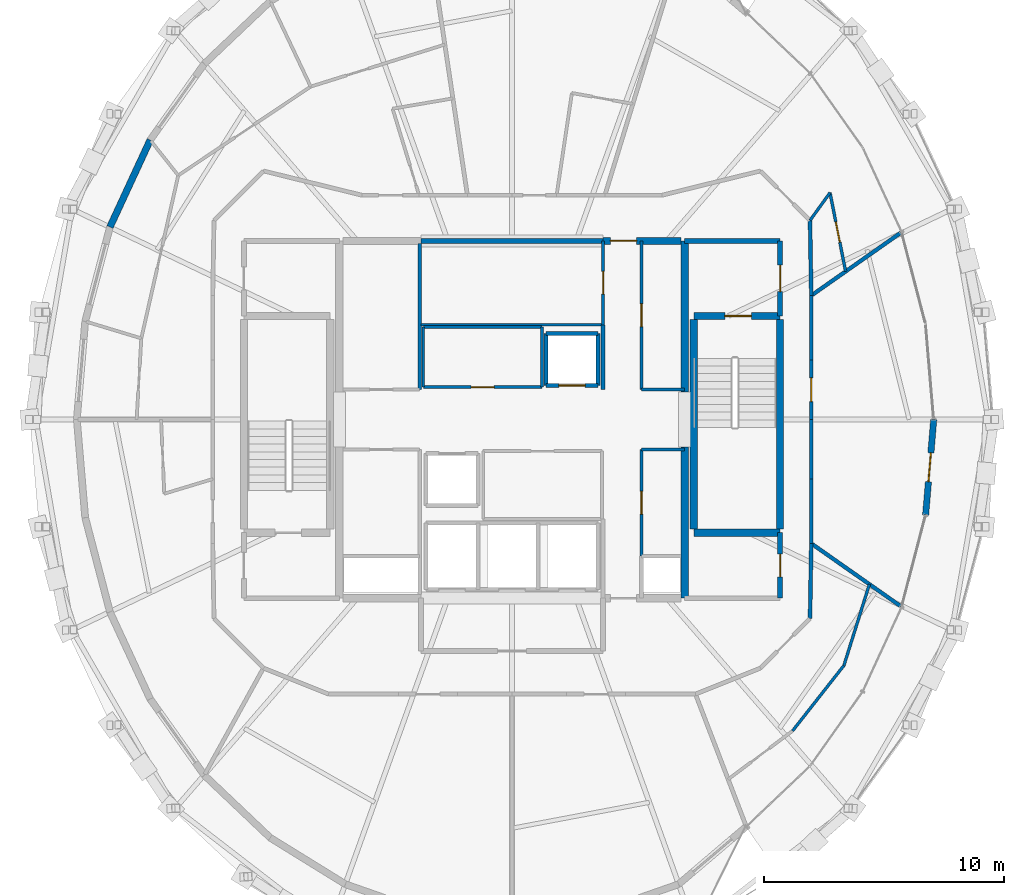
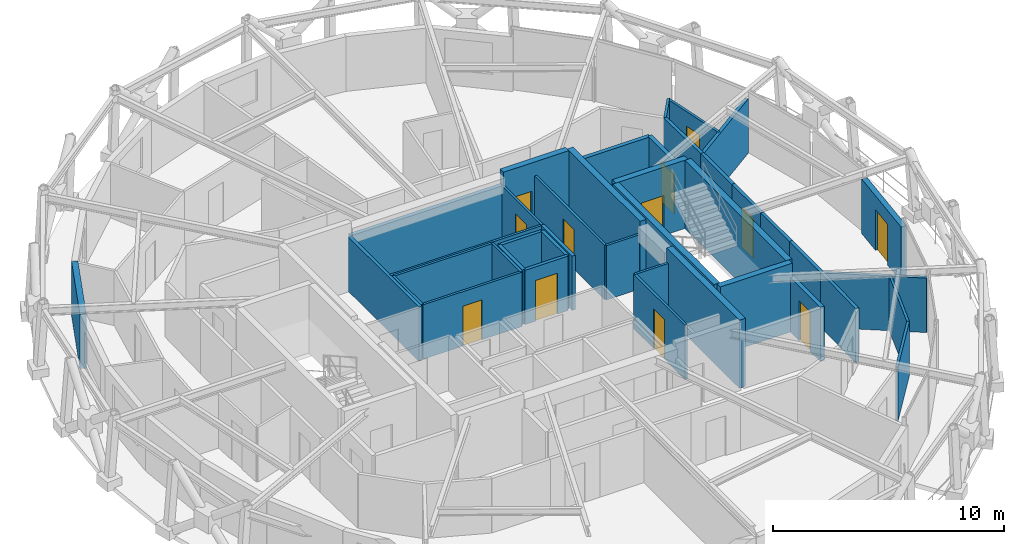
# One storey, part 14 of 17: 41 walls, 12 doors, 12 openings.
"""IFC4 building model written with IfcOpenShell, lengths in metres."""

from ifc_helpers import new_model, si_unit, direction, frame, frame_2d, origin, place, context, subcontext, project, spatial, rectangle, extrude, material, layer, layer_set, type_object, element, fill, save


model = new_model("IFC4")

# Units and contexts
model_context = context("Model", 3, precision=1e-05, world=origin(), true_north=direction((0.0, 1.0)))
body_context = subcontext(model_context, "Body", "Model", "MODEL_VIEW")
ifc_project = project(units=[si_unit("LENGTHUNIT", "METRE"), si_unit("AREAUNIT", "SQUARE_METRE"), si_unit("VOLUMEUNIT", "CUBIC_METRE"), si_unit("PLANEANGLEUNIT", "RADIAN"), si_unit("MASSUNIT", "GRAM", prefix="KILO")], contexts=[model_context])

# Site, building, storey
site_placement = place(None, origin())
site = spatial("IfcSite", under=ifc_project, at=site_placement, CompositionType="ELEMENT")
building_placement = place(site_placement, origin())
building = spatial("IfcBuilding", under=site, at=building_placement, Name="Veldorina Hangang Commons", CompositionType="ELEMENT")
storey_placement = place(building_placement, frame((0.0, 0.0, 286.800048828125)))
storey = spatial("IfcBuildingStorey", under=building, at=storey_placement, Name="L75", CompositionType="ELEMENT", Elevation=286.800048828125)

# Walls
ifc_material_1 = material(Name="Concrete C50/60", Category="concrete")
ifc_layer_1 = layer(ifc_material_1, 0.300048828125)
ifc_layer_set_1 = layer_set([ifc_layer_1], Name="Concrete C50/60")
wall_type_1 = type_object("IfcWallType", Name="CW-RC300-C50", PredefinedType="SHEAR", material=ifc_layer_set_1)
for number, where, z_axis, x_axis, name in (
    (1, (39.199951171875, 16.550048828125, 0.0), (0.0, 0.0, 1.0), (0.0, 1.0, 0.0), "L75 E south core shear wall"),
    (2, (39.199951171875, 25.14990234375, 0.0), (0.0, 0.0, 1.0), (0.0, 1.0, 0.0), "L75 E north core shear wall"),
):
    element("IfcWall", number, at=place(storey_placement, frame(where, z_axis=z_axis, x_axis=x_axis)), inside=storey, type_object=wall_type_1, Name=name, PredefinedType="SHEAR", context=body_context, shape_type="SweptSolid", body=[
        extrude(rectangle(XDim=6.300048828125, YDim=0.300048828125, at=frame_2d((3.14990234375, 0.0))), origin(), (0.0, 0.0, 1.0), 3.599853515625),
    ])

# Wall, opening, door
wall_1_placement = place(storey_placement, frame((35.800048828125, 31.449951171875, 0.0), z_axis=(0.0, 0.0, 1.0), x_axis=(1.0, 0.0, 0.0)))
wall_1 = element("IfcWall", 3, at=wall_1_placement, inside=storey, type_object=wall_type_1, Name="L75 north-east core shear wall", PredefinedType="SHEAR", context=body_context, shape_type="SweptSolid", body=[
    extrude(rectangle(XDim=3.25, YDim=0.300048828125, at=frame_2d((1.625, 0.0))), origin(), (0.0, 0.0, 1.0), 3.599853515625),
])
opening_1_placement = place(wall_1_placement, frame((0.300048828125, 0.0, 0.0)))
opening_1 = element("IfcOpeningElement", 4, at=opening_1_placement, cuts=wall_1, Name="Opening D-08", PredefinedType="OPENING", context=body_context, shape_type="SweptSolid", body=[
    extrude(rectangle(XDim=1.10009765625, YDim=2.10009765625, at=frame_2d((0.550048828125, 1.050048828125))), frame((0.0, 0.16015625, 0.0), z_axis=(0.0, -1.0, 0.0), x_axis=(1.0, 0.0, 0.0)), (0.0, 0.0, 1.0), 0.320068359375),
])
ifc_material_2 = material(Name="Steel Fire-Rated Smoke Seal", Category="steel")
door_type_1 = type_object("IfcDoorType", Name="DR-FIRE-1100", OperationType="SINGLE_SWING_RIGHT", PredefinedType="DOOR", material=ifc_material_2)
door_1_placement = place(opening_1_placement, origin())
door_1 = element("IfcDoor", 5, at=door_1_placement, inside=storey, type_object=door_type_1, Name="L75 central lift lobby north corridor door", OperationType="SINGLE_SWING_LEFT", OverallHeight=2.10009765625, OverallWidth=1.10009765625, PredefinedType="DOOR", context=body_context, shape_type="SweptSolid", body=[
    extrude(rectangle(XDim=1.10009765625, YDim=2.10009765625, at=frame_2d((0.550048828125, 1.050048828125))), frame((0.0, 0.02490234375, 0.0), z_axis=(0.0, -1.0, 0.0), x_axis=(1.0, 0.0, 0.0)), (0.0, 0.0, 1.0), 0.050048828125),
])
fill(opening_1, door_1)

ifc_material_3 = material(Name="Stone Roman Travertine", Category="masonry")
ifc_layer_2 = layer(ifc_material_3, 0.260009765625)
ifc_layer_set_2 = layer_set([ifc_layer_2], Name="Stone Roman Travertine")
wall_type_2 = type_object("IfcWallType", Name="EW-LOGGIA-260", PredefinedType="STANDARD", material=ifc_layer_set_2)
wall_2_placement = place(storey_placement, frame((49.248046875, 20.01708984375, 0.0), z_axis=(0.0, 0.0, 1.0), x_axis=(0.084531469966, 0.996420809992, 0.0)))
wall_2 = element("IfcWall", 6, at=wall_2_placement, inside=storey, type_object=wall_type_2, Name="L75 sky-garden loggia portal wall 31", PredefinedType="STANDARD", context=body_context, shape_type="SweptSolid", body=[
    extrude(rectangle(XDim=3.997314453125, YDim=0.260009765625, at=frame_2d((1.99853515625, 0.0))), origin(), (0.0, 0.0, 1.0), 2.8798828125),
])
opening_2_placement = place(wall_2_placement, frame((1.398681640625, 0.0, 0.0)))
opening_2 = element("IfcOpeningElement", 7, at=opening_2_placement, cuts=wall_2, Name="Opening BD-1200", PredefinedType="OPENING", context=body_context, shape_type="SweptSolid", body=[
    extrude(rectangle(XDim=1.199951171875, YDim=2.14990234375, at=frame_2d((0.60009765625, 1.074951171875))), frame((0.0, 0.14013671875, 0.0), z_axis=(0.0, -1.0, 0.0), x_axis=(1.0, 0.0, 0.0)), (0.0, 0.0, 1.0), 0.280029296875),
])
ifc_material_4 = material(Name="Glass Thermal Aluminium Frame", Category="aluminium")
door_type_2 = type_object("IfcDoorType", Name="DR-EXT-LOG1200", OperationType="SINGLE_SWING_LEFT", PredefinedType="DOOR", material=ifc_material_4)
door_2_placement = place(opening_2_placement, origin())
door_2 = element("IfcDoor", 8, at=door_2_placement, inside=storey, type_object=door_type_2, Name="L75 loggia glazed exterior door 31", OperationType="SINGLE_SWING_RIGHT", OverallHeight=2.14990234375, OverallWidth=1.199951171875, PredefinedType="DOOR", context=body_context, shape_type="SweptSolid", body=[
    extrude(rectangle(XDim=1.199951171875, YDim=2.14990234375, at=frame_2d((0.60009765625, 1.074951171875))), frame((0.0, 0.02490234375, 0.0), z_axis=(0.0, -1.0, 0.0), x_axis=(1.0, 0.0, 0.0)), (0.0, 0.0, 1.0), 0.050048828125),
])
fill(opening_2, door_2)

# Walls
ifc_layer_3 = layer(ifc_material_3, 0.280029296875)
ifc_layer_set_3 = layer_set([ifc_layer_3], Name="Stone Roman Travertine")
wall_type_3 = type_object("IfcWallType", Name="EW-TRAV-280", PredefinedType="STANDARD", material=ifc_layer_set_3)
wall_3_placement = place(storey_placement, frame((16.912109375, 35.65380859375, 0.0), z_axis=(0.0, 0.0, 1.0), x_axis=(-0.41967808517, -0.90767301647, 0.0)))
element("IfcWall", 9, at=wall_3_placement, inside=storey, type_object=wall_type_3, Name="L75 travertine facade wall 13", PredefinedType="STANDARD", context=body_context, shape_type="SweptSolid", body=[
    extrude(rectangle(XDim=3.995361328125, YDim=0.280029296875, at=frame_2d((1.99755859375, 0.0))), origin(), (0.0, 0.0, 1.0), 2.8798828125),
])
ifc_layer_4 = layer(ifc_material_1, 0.300048828125)
ifc_layer_set_4 = layer_set([ifc_layer_4], Name="Concrete C50/60")
wall_type_4 = type_object("IfcWallType", Name="SW-STAIR-300", PredefinedType="SHEAR", material=ifc_layer_set_4)
for number, where, z_axis, x_axis, name in (
    (10, (43.179931640625, 19.429931640625, 0.0), (0.0, 0.0, 1.0), (0.0, 1.0, 0.0), "L75 ST2 outer stair shear wall"),
    (11, (39.580078125, 19.429931640625, 0.0), (0.0, 0.0, 1.0), (0.0, 1.0, 0.0), "L75 ST2 inner stair shear wall"),
):
    element("IfcWall", number, at=place(storey_placement, frame(where, z_axis=z_axis, x_axis=x_axis)), inside=storey, type_object=wall_type_4, Name=name, PredefinedType="SHEAR", context=body_context, shape_type="SweptSolid", body=[
        extrude(rectangle(XDim=8.739990234375, YDim=0.300048828125, at=frame_2d((4.3701171875, 0.0))), origin(), (0.0, 0.0, 1.0), 3.599853515625),
    ])
wall_4_placement = place(storey_placement, frame((39.580078125, 19.280029296875, 0.0), z_axis=(0.0, 0.0, 1.0), x_axis=(1.0, 0.0, 0.0)))
element("IfcWall", 12, at=wall_4_placement, inside=storey, type_object=wall_type_4, Name="L75 ST2 south stair shear wall", PredefinedType="SHEAR", context=body_context, shape_type="SweptSolid", body=[
    extrude(rectangle(XDim=3.599853515625, YDim=0.300048828125, at=frame_2d((1.7998046875, 0.0))), origin(), (0.0, 0.0, 1.0), 3.599853515625),
])

# Wall, opening, door
wall_5_placement = place(storey_placement, frame((39.580078125, 28.320068359375, 0.0), z_axis=(0.0, 0.0, 1.0), x_axis=(1.0, 0.0, 0.0)))
wall_5 = element("IfcWall", 13, at=wall_5_placement, inside=storey, type_object=wall_type_4, Name="L75 ST2 north stair shear wall", PredefinedType="SHEAR", context=body_context, shape_type="SweptSolid", body=[
    extrude(rectangle(XDim=3.599853515625, YDim=0.300048828125, at=frame_2d((1.7998046875, 0.0))), origin(), (0.0, 0.0, 1.0), 3.599853515625),
])
opening_3_placement = place(wall_5_placement, frame((1.300048828125, 0.0, 0.0)))
opening_3 = element("IfcOpeningElement", 14, at=opening_3_placement, cuts=wall_5, Name="Opening D-08", PredefinedType="OPENING", context=body_context, shape_type="SweptSolid", body=[
    extrude(rectangle(XDim=1.10009765625, YDim=2.10009765625, at=frame_2d((0.550048828125, 1.050048828125))), frame((0.0, 0.16015625, 0.0), z_axis=(0.0, -1.0, 0.0), x_axis=(1.0, 0.0, 0.0)), (0.0, 0.0, 1.0), 0.320068359375),
])
door_3_placement = place(opening_3_placement, origin())
door_3 = element("IfcDoor", 15, at=door_3_placement, inside=storey, type_object=door_type_1, Name="L75 Special Escape Stair ST-2 door", OperationType="SINGLE_SWING_RIGHT", OverallHeight=2.10009765625, OverallWidth=1.10009765625, PredefinedType="DOOR", context=body_context, shape_type="SweptSolid", body=[
    extrude(rectangle(XDim=1.10009765625, YDim=2.10009765625, at=frame_2d((0.550048828125, 1.050048828125))), frame((0.0, 0.02490234375, 0.0), z_axis=(0.0, -1.0, 0.0), x_axis=(1.0, 0.0, 0.0)), (0.0, 0.0, 1.0), 0.050048828125),
])
fill(opening_3, door_3)

# Wall
ifc_material_5 = material(Name="Gypsum Fire-Rated Twin Stud Wall", Category="gypsum")
ifc_layer_5 = layer(ifc_material_5, 0.159912109375)
ifc_layer_set_5 = layer_set([ifc_layer_5], Name="Gypsum Fire-Rated Twin Stud Wall")
wall_type_5 = type_object("IfcWallType", Name="WL-FIRE-160", PredefinedType="SOLIDWALL", material=ifc_layer_set_5)
wall_6_placement = place(storey_placement, frame((35.800048828125, 25.25, 0.0), z_axis=(0.0, 0.0, 1.0), x_axis=(0.0, 1.0, 0.0)))
element("IfcWall", 16, at=wall_6_placement, inside=storey, type_object=wall_type_5, Name="L75 Lift passage NW lower wall 011", PredefinedType="SOLIDWALL", context=body_context, shape_type="SweptSolid", body=[
    extrude(rectangle(XDim=2.699951171875, YDim=0.159912109375, at=frame_2d((1.35009765625, 0.0))), origin(), (0.0, 0.0, 1.0), 2.869873046875),
])

# Wall, opening, door
wall_7_placement = place(storey_placement, frame((33.419921875, 25.419921875, 0.0), z_axis=(0.0, 0.0, 1.0), x_axis=(1.0, 0.0, 0.0)))
wall_7 = element("IfcWall", 17, at=wall_7_placement, inside=storey, type_object=wall_type_5, Name="L75 Mid-high front shaft wall 015", PredefinedType="SOLIDWALL", context=body_context, shape_type="SweptSolid", body=[
    extrude(rectangle(XDim=2.16015625, YDim=0.159912109375, at=frame_2d((1.080078125, 0.0))), origin(), (0.0, 0.0, 1.0), 2.869873046875),
])
opening_4_placement = place(wall_7_placement, frame((0.530029296875, 0.0, 0.0)))
opening_4 = element("IfcOpeningElement", 18, at=opening_4_placement, cuts=wall_7, Name="Opening LD-01", PredefinedType="OPENING", context=body_context, shape_type="SweptSolid", body=[
    extrude(rectangle(XDim=1.10009765625, YDim=2.14990234375, at=frame_2d((0.550048828125, 1.074951171875))), frame((0.0, 0.08984375, 0.0), z_axis=(0.0, -1.0, 0.0), x_axis=(1.0, 0.0, 0.0)), (0.0, 0.0, 1.0), 0.179931640625),
])
ifc_material_6 = material(Name="Stainless Steel Brushed Lift Door", Category="steel")
door_type_3 = type_object("IfcDoorType", Name="DR-LIFT-1100", OperationType="SLIDING_TO_LEFT", PredefinedType="DOOR", material=ifc_material_6)
door_4_placement = place(opening_4_placement, origin())
door_4 = element("IfcDoor", 19, at=door_4_placement, inside=storey, type_object=door_type_3, Name="L75 Lift PL-H1 landing door 006", OperationType="SLIDING_TO_RIGHT", OverallHeight=2.14990234375, OverallWidth=1.10009765625, PredefinedType="DOOR", context=body_context, shape_type="SweptSolid", body=[
    extrude(rectangle(XDim=1.10009765625, YDim=2.14990234375, at=frame_2d((0.550048828125, 1.074951171875))), frame((0.0, 0.02490234375, 0.0), z_axis=(0.0, -1.0, 0.0), x_axis=(1.0, 0.0, 0.0)), (0.0, 0.0, 1.0), 0.050048828125),
])
fill(opening_4, door_4)

# Walls
for number, where, z_axis, x_axis, name in (
    (20, (33.419921875, 27.580078125, 0.0), (0.0, 0.0, 1.0), (1.0, 0.0, 0.0), "L75 Mid-high rear shaft wall 016"),
    (21, (33.419921875, 25.419921875, 0.0), (0.0, 0.0, 1.0), (0.0, 1.0, 0.0), "L75 PL-H1 west shaft wall 017"),
    (22, (35.580078125, 25.419921875, 0.0), (0.0, 0.0, 1.0), (0.0, 1.0, 0.0), "L75 PL-H1 east shaft wall 018"),
):
    element("IfcWall", number, at=place(storey_placement, frame(where, z_axis=z_axis, x_axis=x_axis)), inside=storey, type_object=wall_type_5, Name=name, PredefinedType="SOLIDWALL", context=body_context, shape_type="SweptSolid", body=[
        extrude(rectangle(XDim=2.16015625, YDim=0.159912109375, at=frame_2d((1.080078125, 0.0))), origin(), (0.0, 0.0, 1.0), 2.869873046875),
    ])
wall_8_placement = place(storey_placement, frame((28.14990234375, 25.25, 0.0), z_axis=(0.0, 0.0, 1.0), x_axis=(0.0, 1.0, 0.0)))
element("IfcWall", 23, at=wall_8_placement, inside=storey, type_object=wall_type_5, Name="L75 NW core inner wall 043", PredefinedType="SOLIDWALL", context=body_context, shape_type="SweptSolid", body=[
    extrude(rectangle(XDim=6.10009765625, YDim=0.159912109375, at=frame_2d((3.050048828125, 0.0))), origin(), (0.0, 0.0, 1.0), 2.869873046875),
])

# Wall, opening, door
wall_9_placement = place(storey_placement, frame((44.47998046875, 24.0, 0.0), z_axis=(0.0, 0.0, 1.0), x_axis=(0.0, 1.0, 0.0)))
wall_9 = element("IfcWall", 24, at=wall_9_placement, inside=storey, type_object=wall_type_5, Name="L75 Compact collar outer wall 00 050", PredefinedType="SOLIDWALL", context=body_context, shape_type="SweptSolid", body=[
    extrude(rectangle(XDim=2.482421875, YDim=0.159912109375, at=frame_2d((1.2412109375, 0.0))), origin(), (0.0, 0.0, 1.0), 2.869873046875),
])
opening_5_placement = place(wall_9_placement, frame((0.7412109375, 0.0, 0.0)))
opening_5 = element("IfcOpeningElement", 25, at=opening_5_placement, cuts=wall_9, Name="Opening D-05", PredefinedType="OPENING", context=body_context, shape_type="SweptSolid", body=[
    extrude(rectangle(XDim=1.0, YDim=2.10009765625, at=frame_2d((0.5, 1.050048828125))), frame((0.0, 0.08984375, 0.0), z_axis=(0.0, -1.0, 0.0), x_axis=(1.0, 0.0, 0.0)), (0.0, 0.0, 1.0), 0.179931640625),
])
ifc_material_7 = material(Name="Timber Solid Core Acoustic", Category="wood")
door_type_4 = type_object("IfcDoorType", Name="DR-INT-1000", OperationType="SINGLE_SWING_RIGHT", PredefinedType="DOOR", material=ifc_material_7)
door_5_placement = place(opening_5_placement, origin())
door_5 = element("IfcDoor", 26, at=door_5_placement, inside=storey, type_object=door_type_4, Name="L75 Sky-Garden Commons Lounge door 018", OperationType="SINGLE_SWING_RIGHT", OverallHeight=2.10009765625, OverallWidth=1.0, PredefinedType="DOOR", context=body_context, shape_type="SweptSolid", body=[
    extrude(rectangle(XDim=1.0, YDim=2.10009765625, at=frame_2d((0.5, 1.050048828125))), frame((0.0, 0.02490234375, 0.0), z_axis=(0.0, -1.0, 0.0), x_axis=(1.0, 0.0, 0.0)), (0.0, 0.0, 1.0), 0.050048828125),
])
fill(opening_5, door_5)

# Walls
wall_10_placement = place(storey_placement, frame((44.47998046875, 26.482421875, 0.0), z_axis=(0.0, 0.0, 1.0), x_axis=(0.0, 1.0, 0.0)))
element("IfcWall", 27, at=wall_10_placement, inside=storey, type_object=wall_type_5, Name="L75 Compact collar outer wall 01 051", PredefinedType="SOLIDWALL", context=body_context, shape_type="SweptSolid", body=[
    extrude(rectangle(XDim=2.68701171875, YDim=0.159912109375, at=frame_2d((1.343505859375, 0.0))), origin(), (0.0, 0.0, 1.0), 2.869873046875),
])
for number, where, z_axis, x_axis, name in (
    (28, (44.47998046875, 29.16943359375, 0.0), (0.0, 0.0, 1.0), (-0.016981035134, 0.999855811828, 0.0), "L75 Compact collar outer wall 02 052"),
    (29, (44.4267578125, 15.69677734375, 0.0), (0.0, 0.0, 1.0), (0.016981035134, 0.999855811828, 0.0), "L75 Compact collar outer wall 29 079"),
):
    element("IfcWall", number, at=place(storey_placement, frame(where, z_axis=z_axis, x_axis=x_axis)), inside=storey, type_object=wall_type_5, Name=name, PredefinedType="SOLIDWALL", context=body_context, shape_type="SweptSolid", body=[
        extrude(rectangle(XDim=3.13427734375, YDim=0.159912109375, at=frame_2d((1.567138671875, 0.0))), origin(), (0.0, 0.0, 1.0), 2.869873046875),
    ])
wall_11_placement = place(storey_placement, frame((44.47998046875, 18.83056640625, 0.0), z_axis=(0.0, 0.0, 1.0), x_axis=(0.0, 1.0, 0.0)))
element("IfcWall", 30, at=wall_11_placement, inside=storey, type_object=wall_type_5, Name="L75 Compact collar outer wall 30 080", PredefinedType="SOLIDWALL", context=body_context, shape_type="SweptSolid", body=[
    extrude(rectangle(XDim=2.68701171875, YDim=0.159912109375, at=frame_2d((1.343505859375, 0.0))), origin(), (0.0, 0.0, 1.0), 2.869873046875),
])
wall_12_placement = place(storey_placement, frame((44.47998046875, 21.517578125, 0.0), z_axis=(0.0, 0.0, 1.0), x_axis=(0.0, 1.0, 0.0)))
element("IfcWall", 31, at=wall_12_placement, inside=storey, type_object=wall_type_5, Name="L75 Compact collar outer wall 31 081", PredefinedType="SOLIDWALL", context=body_context, shape_type="SweptSolid", body=[
    extrude(rectangle(XDim=2.482421875, YDim=0.159912109375, at=frame_2d((1.2412109375, 0.0))), origin(), (0.0, 0.0, 1.0), 2.869873046875),
])
for number, where, z_axis, x_axis, name in (
    (32, (44.47998046875, 18.83056640625, 0.0), (0.0, 0.0, 1.0), (0.818578812532, -0.574394226706, 0.0), "L75 Unit party wall 30 082"),
    (33, (44.47998046875, 29.16943359375, 0.0), (0.0, 0.0, 1.0), (0.818578812532, 0.574394226706, 0.0), "L75 Unit party wall 02 083"),
):
    element("IfcWall", number, at=place(storey_placement, frame(where, z_axis=z_axis, x_axis=x_axis)), inside=storey, type_object=wall_type_5, Name=name, PredefinedType="SOLIDWALL", context=body_context, shape_type="SweptSolid", body=[
        extrude(rectangle(XDim=4.55224609375, YDim=0.159912109375, at=frame_2d((2.276123046875, 0.0))), origin(), (0.0, 0.0, 1.0), 2.869873046875),
    ])

# Wall, opening, door
ifc_material_8 = material(Name="Concrete Blockwork Fire Wall C30/37", Category="masonry")
ifc_layer_6 = layer(ifc_material_8, 0.199951171875)
ifc_layer_set_6 = layer_set([ifc_layer_6], Name="Concrete Blockwork Fire Wall C30/37")
wall_type_6 = type_object("IfcWallType", Name="WL-FIRE-200", PredefinedType="SOLIDWALL", material=ifc_layer_set_6)
wall_13_placement = place(storey_placement, frame((43.179931640625, 28.320068359375, 0.0), z_axis=(0.0, 0.0, 1.0), x_axis=(0.0, 1.0, 0.0)))
wall_13 = element("IfcWall", 34, at=wall_13_placement, inside=storey, type_object=wall_type_6, Name="L75 East vestibule outer wall 003", PredefinedType="SOLIDWALL", context=body_context, shape_type="SweptSolid", body=[
    extrude(rectangle(XDim=3.1298828125, YDim=0.199951171875, at=frame_2d((1.56494140625, 0.0))), origin(), (0.0, 0.0, 1.0), 2.869873046875),
])
opening_6_placement = place(wall_13_placement, frame((1.014892578125, 0.0, 0.0)))
opening_6 = element("IfcOpeningElement", 35, at=opening_6_placement, cuts=wall_13, Name="Opening D-08", PredefinedType="OPENING", context=body_context, shape_type="SweptSolid", body=[
    extrude(rectangle(XDim=1.10009765625, YDim=2.10009765625, at=frame_2d((0.550048828125, 1.050048828125))), frame((0.0, 0.10986328125, 0.0), z_axis=(0.0, -1.0, 0.0), x_axis=(1.0, 0.0, 0.0)), (0.0, 0.0, 1.0), 0.219970703125),
])
door_6_placement = place(opening_6_placement, origin())
door_6 = element("IfcDoor", 36, at=door_6_placement, inside=storey, type_object=door_type_1, Name="L75 East vestibule east door 002", OperationType="SINGLE_SWING_RIGHT", OverallHeight=2.10009765625, OverallWidth=1.10009765625, PredefinedType="DOOR", context=body_context, shape_type="SweptSolid", body=[
    extrude(rectangle(XDim=1.10009765625, YDim=2.10009765625, at=frame_2d((0.550048828125, 1.050048828125))), frame((0.0, 0.02490234375, 0.0), z_axis=(0.0, -1.0, 0.0), x_axis=(1.0, 0.0, 0.0)), (0.0, 0.0, 1.0), 0.050048828125),
])
fill(opening_6, door_6)

# Wall
wall_14_placement = place(storey_placement, frame((39.199951171875, 31.449951171875, 0.0), z_axis=(0.0, 0.0, 1.0), x_axis=(1.0, 0.0, 0.0)))
element("IfcWall", 37, at=wall_14_placement, inside=storey, type_object=wall_type_6, Name="L75 East vestibule north wall 004", PredefinedType="SOLIDWALL", context=body_context, shape_type="SweptSolid", body=[
    extrude(rectangle(XDim=3.97998046875, YDim=0.199951171875, at=frame_2d((1.989990234375, 0.0))), origin(), (0.0, 0.0, 1.0), 2.869873046875),
])

# Wall, opening, door
wall_15_placement = place(storey_placement, frame((43.179931640625, 16.550048828125, 0.0), z_axis=(0.0, 0.0, 1.0), x_axis=(0.0, 1.0, 0.0)))
wall_15 = element("IfcWall", 38, at=wall_15_placement, inside=storey, type_object=wall_type_6, Name="L75 SE core room outer wall 007", PredefinedType="SOLIDWALL", context=body_context, shape_type="SweptSolid", body=[
    extrude(rectangle(XDim=2.72998046875, YDim=0.199951171875, at=frame_2d((1.364990234375, 0.0))), origin(), (0.0, 0.0, 1.0), 2.869873046875),
])
opening_7_placement = place(wall_15_placement, frame((0.889892578125, 0.0, 0.0)))
opening_7 = element("IfcOpeningElement", 39, at=opening_7_placement, cuts=wall_15, Name="Opening D-02", PredefinedType="OPENING", context=body_context, shape_type="SweptSolid", body=[
    extrude(rectangle(XDim=0.949951171875, YDim=2.10009765625, at=frame_2d((0.47509765625, 1.050048828125))), frame((0.0, 0.10986328125, 0.0), z_axis=(0.0, -1.0, 0.0), x_axis=(1.0, 0.0, 0.0)), (0.0, 0.0, 1.0), 0.219970703125),
])
door_type_5 = type_object("IfcDoorType", Name="DR-INT-950", OperationType="SINGLE_SWING_LEFT", PredefinedType="DOOR", material=ifc_material_7)
door_7_placement = place(opening_7_placement, origin())
door_7 = element("IfcDoor", 40, at=door_7_placement, inside=storey, type_object=door_type_5, Name="L75 SE core WC door 004", OperationType="SINGLE_SWING_RIGHT", OverallHeight=2.10009765625, OverallWidth=0.949951171875, PredefinedType="DOOR", context=body_context, shape_type="SweptSolid", body=[
    extrude(rectangle(XDim=0.949951171875, YDim=2.10009765625, at=frame_2d((0.47509765625, 1.050048828125))), frame((0.0, 0.02490234375, 0.0), z_axis=(0.0, -1.0, 0.0), x_axis=(1.0, 0.0, 0.0)), (0.0, 0.0, 1.0), 0.050048828125),
])
fill(opening_7, door_7)

# Walls
wall_16_placement = place(storey_placement, frame((28.199951171875, 31.449951171875, 0.0), z_axis=(0.0, 0.0, 1.0), x_axis=(1.0, 0.0, 0.0)))
element("IfcWall", 41, at=wall_16_placement, inside=storey, type_object=wall_type_6, Name="L75 Merged north core wall 029", PredefinedType="SOLIDWALL", context=body_context, shape_type="SweptSolid", body=[
    extrude(rectangle(XDim=7.60009765625, YDim=0.199951171875, at=frame_2d((3.800048828125, 0.0))), origin(), (0.0, 0.0, 1.0), 2.869873046875),
])
ifc_material_9 = material(Name="Gypsum Acoustic Stud Partition", Category="gypsum")
ifc_layer_7 = layer(ifc_material_9, 0.1201171875)
ifc_layer_set_7 = layer_set([ifc_layer_7], Name="Gypsum Acoustic Stud Partition")
wall_type_7 = type_object("IfcWallType", Name="WL-PART-120", PredefinedType="PARTITIONING", material=ifc_layer_set_7)
wall_17_placement = place(storey_placement, frame((28.199951171875, 27.949951171875, 0.0), z_axis=(0.0, 0.0, 1.0), x_axis=(1.0, 0.0, 0.0)))
element("IfcWall", 42, at=wall_17_placement, inside=storey, type_object=wall_type_7, Name="L75 Merged north south wall 030", PredefinedType="PARTITIONING", context=body_context, shape_type="SweptSolid", body=[
    extrude(rectangle(XDim=7.60009765625, YDim=0.1201171875, at=frame_2d((3.800048828125, 0.0))), origin(), (0.0, 0.0, 1.0), 2.869873046875),
])

# Wall, opening, door
wall_18_placement = place(storey_placement, frame((35.800048828125, 27.949951171875, 0.0), z_axis=(0.0, 0.0, 1.0), x_axis=(0.0, 1.0, 0.0)))
wall_18 = element("IfcWall", 43, at=wall_18_placement, inside=storey, type_object=wall_type_7, Name="L75 Merged north east wall 031", PredefinedType="PARTITIONING", context=body_context, shape_type="SweptSolid", body=[
    extrude(rectangle(XDim=3.5, YDim=0.1201171875, at=frame_2d((1.75, 0.0))), origin(), (0.0, 0.0, 1.0), 2.869873046875),
])
opening_8_placement = place(wall_18_placement, frame((1.27490234375, 0.0, 0.0)))
opening_8 = element("IfcOpeningElement", 44, at=opening_8_placement, cuts=wall_18, Name="Opening D-02", PredefinedType="OPENING", context=body_context, shape_type="SweptSolid", body=[
    extrude(rectangle(XDim=0.949951171875, YDim=2.10009765625, at=frame_2d((0.47509765625, 1.050048828125))), frame((0.0, 0.070068359375, 0.0), z_axis=(0.0, -1.0, 0.0), x_axis=(1.0, 0.0, 0.0)), (0.0, 0.0, 1.0), 0.14013671875),
])
door_8_placement = place(opening_8_placement, origin())
door_8 = element("IfcDoor", 45, at=door_8_placement, inside=storey, type_object=door_type_5, Name="L75 Merged north room lobby door 011", OperationType="SINGLE_SWING_LEFT", OverallHeight=2.10009765625, OverallWidth=0.949951171875, PredefinedType="DOOR", context=body_context, shape_type="SweptSolid", body=[
    extrude(rectangle(XDim=0.949951171875, YDim=2.10009765625, at=frame_2d((0.47509765625, 1.050048828125))), frame((0.0, 0.02490234375, 0.0), z_axis=(0.0, -1.0, 0.0), x_axis=(1.0, 0.0, 0.0)), (0.0, 0.0, 1.0), 0.050048828125),
])
fill(opening_8, door_8)

wall_19_placement = place(storey_placement, frame((28.300048828125, 25.35009765625, 0.0), z_axis=(0.0, 0.0, 1.0), x_axis=(1.0, 0.0, 0.0)))
wall_19 = element("IfcWall", 46, at=wall_19_placement, inside=storey, type_object=wall_type_7, Name="L75 Merged mid-bank south wall 032", PredefinedType="PARTITIONING", context=body_context, shape_type="SweptSolid", body=[
    extrude(rectangle(XDim=4.949951171875, YDim=0.1201171875, at=frame_2d((2.47509765625, 0.0))), origin(), (0.0, 0.0, 1.0), 2.869873046875),
])
opening_9_placement = place(wall_19_placement, frame((2.0, 0.0, 0.0)))
opening_9 = element("IfcOpeningElement", 47, at=opening_9_placement, cuts=wall_19, Name="Opening D-02", PredefinedType="OPENING", context=body_context, shape_type="SweptSolid", body=[
    extrude(rectangle(XDim=0.949951171875, YDim=2.10009765625, at=frame_2d((0.47509765625, 1.050048828125))), frame((0.0, 0.070068359375, 0.0), z_axis=(0.0, -1.0, 0.0), x_axis=(1.0, 0.0, 0.0)), (0.0, 0.0, 1.0), 0.14013671875),
])
door_9_placement = place(opening_9_placement, origin())
door_9 = element("IfcDoor", 48, at=door_9_placement, inside=storey, type_object=door_type_5, Name="L75 Quiet study room door 012", OperationType="SINGLE_SWING_RIGHT", OverallHeight=2.10009765625, OverallWidth=0.949951171875, PredefinedType="DOOR", context=body_context, shape_type="SweptSolid", body=[
    extrude(rectangle(XDim=0.949951171875, YDim=2.10009765625, at=frame_2d((0.47509765625, 1.050048828125))), frame((0.0, 0.02490234375, 0.0), z_axis=(0.0, -1.0, 0.0), x_axis=(1.0, 0.0, 0.0)), (0.0, 0.0, 1.0), 0.050048828125),
])
fill(opening_9, door_9)

# Walls
wall_20_placement = place(storey_placement, frame((28.300048828125, 27.85009765625, 0.0), z_axis=(0.0, 0.0, 1.0), x_axis=(1.0, 0.0, 0.0)))
element("IfcWall", 49, at=wall_20_placement, inside=storey, type_object=wall_type_7, Name="L75 Merged mid-bank north wall 033", PredefinedType="PARTITIONING", context=body_context, shape_type="SweptSolid", body=[
    extrude(rectangle(XDim=4.949951171875, YDim=0.1201171875, at=frame_2d((2.47509765625, 0.0))), origin(), (0.0, 0.0, 1.0), 2.869873046875),
])
for number, where, z_axis, x_axis, name in (
    (50, (28.300048828125, 25.35009765625, 0.0), (0.0, 0.0, 1.0), (0.0, 1.0, 0.0), "L75 Merged mid-bank west wall 034"),
    (51, (33.25, 25.35009765625, 0.0), (0.0, 0.0, 1.0), (0.0, 1.0, 0.0), "L75 Merged mid-bank east wall 035"),
):
    element("IfcWall", number, at=place(storey_placement, frame(where, z_axis=z_axis, x_axis=x_axis)), inside=storey, type_object=wall_type_7, Name=name, PredefinedType="PARTITIONING", context=body_context, shape_type="SweptSolid", body=[
        extrude(rectangle(XDim=2.5, YDim=0.1201171875, at=frame_2d((1.25, 0.0))), origin(), (0.0, 0.0, 1.0), 2.869873046875),
    ])

# Wall, opening, door
wall_21_placement = place(storey_placement, frame((37.39990234375, 25.25, 0.0), z_axis=(0.0, 0.0, 1.0), x_axis=(0.0, 1.0, 0.0)))
wall_21 = element("IfcWall", 52, at=wall_21_placement, inside=storey, type_object=wall_type_7, Name="L75 NE strip lobby wall 046", PredefinedType="PARTITIONING", context=body_context, shape_type="SweptSolid", body=[
    extrude(rectangle(XDim=6.199951171875, YDim=0.1201171875, at=frame_2d((3.10009765625, 0.0))), origin(), (0.0, 0.0, 1.0), 2.869873046875),
])
opening_10_placement = place(wall_21_placement, frame((2.625, 0.0, 0.0)))
opening_10 = element("IfcOpeningElement", 53, at=opening_10_placement, cuts=wall_21, Name="Opening D-02", PredefinedType="OPENING", context=body_context, shape_type="SweptSolid", body=[
    extrude(rectangle(XDim=0.949951171875, YDim=2.10009765625, at=frame_2d((0.47509765625, 1.050048828125))), frame((0.0, 0.070068359375, 0.0), z_axis=(0.0, -1.0, 0.0), x_axis=(1.0, 0.0, 0.0)), (0.0, 0.0, 1.0), 0.14013671875),
])
door_10_placement = place(opening_10_placement, origin())
door_10 = element("IfcDoor", 54, at=door_10_placement, inside=storey, type_object=door_type_5, Name="L75 Comms room door 016", OperationType="SINGLE_SWING_RIGHT", OverallHeight=2.10009765625, OverallWidth=0.949951171875, PredefinedType="DOOR", context=body_context, shape_type="SweptSolid", body=[
    extrude(rectangle(XDim=0.949951171875, YDim=2.10009765625, at=frame_2d((0.47509765625, 1.050048828125))), frame((0.0, 0.02490234375, 0.0), z_axis=(0.0, -1.0, 0.0), x_axis=(1.0, 0.0, 0.0)), (0.0, 0.0, 1.0), 0.050048828125),
])
fill(opening_10, door_10)

# Wall
wall_22_placement = place(storey_placement, frame((37.39990234375, 25.25, 0.0), z_axis=(0.0, 0.0, 1.0), x_axis=(1.0, 0.0, 0.0)))
element("IfcWall", 55, at=wall_22_placement, inside=storey, type_object=wall_type_7, Name="L75 NE strip south return wall 047", PredefinedType="PARTITIONING", context=body_context, shape_type="SweptSolid", body=[
    extrude(rectangle(XDim=1.800048828125, YDim=0.1201171875, at=frame_2d((0.89990234375, 0.0))), origin(), (0.0, 0.0, 1.0), 2.869873046875),
])

# Wall, opening, door
wall_23_placement = place(storey_placement, frame((37.39990234375, 18.300048828125, 0.0), z_axis=(0.0, 0.0, 1.0), x_axis=(0.0, 1.0, 0.0)))
wall_23 = element("IfcWall", 56, at=wall_23_placement, inside=storey, type_object=wall_type_7, Name="L75 SE strip lobby wall 048", PredefinedType="PARTITIONING", context=body_context, shape_type="SweptSolid", body=[
    extrude(rectangle(XDim=4.449951171875, YDim=0.1201171875, at=frame_2d((2.22509765625, 0.0))), origin(), (0.0, 0.0, 1.0), 2.869873046875),
])
opening_11_placement = place(wall_23_placement, frame((1.75, 0.0, 0.0)))
opening_11 = element("IfcOpeningElement", 57, at=opening_11_placement, cuts=wall_23, Name="Opening D-02", PredefinedType="OPENING", context=body_context, shape_type="SweptSolid", body=[
    extrude(rectangle(XDim=0.949951171875, YDim=2.10009765625, at=frame_2d((0.47509765625, 1.050048828125))), frame((0.0, 0.070068359375, 0.0), z_axis=(0.0, -1.0, 0.0), x_axis=(1.0, 0.0, 0.0)), (0.0, 0.0, 1.0), 0.14013671875),
])
door_11_placement = place(opening_11_placement, origin())
door_11 = element("IfcDoor", 58, at=door_11_placement, inside=storey, type_object=door_type_5, Name="L75 BMS closet door 017", OperationType="SINGLE_SWING_LEFT", OverallHeight=2.10009765625, OverallWidth=0.949951171875, PredefinedType="DOOR", context=body_context, shape_type="SweptSolid", body=[
    extrude(rectangle(XDim=0.949951171875, YDim=2.10009765625, at=frame_2d((0.47509765625, 1.050048828125))), frame((0.0, 0.02490234375, 0.0), z_axis=(0.0, -1.0, 0.0), x_axis=(1.0, 0.0, 0.0)), (0.0, 0.0, 1.0), 0.050048828125),
])
fill(opening_11, door_11)

# Wall
wall_24_placement = place(storey_placement, frame((37.39990234375, 22.75, 0.0), z_axis=(0.0, 0.0, 1.0), x_axis=(1.0, 0.0, 0.0)))
element("IfcWall", 59, at=wall_24_placement, inside=storey, type_object=wall_type_7, Name="L75 SE strip north return wall 049", PredefinedType="PARTITIONING", context=body_context, shape_type="SweptSolid", body=[
    extrude(rectangle(XDim=1.800048828125, YDim=0.1201171875, at=frame_2d((0.89990234375, 0.0))), origin(), (0.0, 0.0, 1.0), 2.869873046875),
])

# Wall, opening, door
wall_25_placement = place(storey_placement, frame((45.91162109375, 30.174072265625, 0.0), z_axis=(0.0, 0.0, 1.0), x_axis=(-0.194334852928, 0.980935250125, 0.0)))
wall_25 = element("IfcWall", 60, at=wall_25_placement, inside=storey, type_object=wall_type_7, Name="L75 Studio 2 bath front wall 084", PredefinedType="PARTITIONING", context=body_context, shape_type="SweptSolid", body=[
    extrude(rectangle(XDim=3.347900390625, YDim=0.1201171875, at=frame_2d((1.673828125, 0.0))), origin(), (0.0, 0.0, 1.0), 2.869873046875),
])
opening_12_placement = place(wall_25_placement, frame((1.244140625, 0.0, 0.0)))
opening_12 = element("IfcOpeningElement", 61, at=opening_12_placement, cuts=wall_25, Name="Opening D-01", PredefinedType="OPENING", context=body_context, shape_type="SweptSolid", body=[
    extrude(rectangle(XDim=0.860107421875, YDim=2.10009765625, at=frame_2d((0.43017578125, 1.050048828125))), frame((0.0, 0.070068359375, 0.0), z_axis=(0.0, -1.0, 0.0), x_axis=(1.0, 0.0, 0.0)), (0.0, 0.0, 1.0), 0.14013671875),
])
ifc_material_10 = material(Name="Timber Moisture-Resistant Core", Category="wood")
door_type_6 = type_object("IfcDoorType", Name="DR-WET-860", OperationType="SINGLE_SWING_LEFT", PredefinedType="DOOR", material=ifc_material_10)
door_12_placement = place(opening_12_placement, origin())
door_12 = element("IfcDoor", 62, at=door_12_placement, inside=storey, type_object=door_type_6, Name="L75 Studio 2 bathroom door 019", OperationType="SINGLE_SWING_LEFT", OverallHeight=2.10009765625, OverallWidth=0.860107421875, PredefinedType="DOOR", context=body_context, shape_type="SweptSolid", body=[
    extrude(rectangle(XDim=0.860107421875, YDim=2.10009765625, at=frame_2d((0.43017578125, 1.050048828125))), frame((0.0, 0.02490234375, 0.0), z_axis=(0.0, -1.0, 0.0), x_axis=(1.0, 0.0, 0.0)), (0.0, 0.0, 1.0), 0.050048828125),
])
fill(opening_12, door_12)

# Walls
wall_26_placement = place(storey_placement, frame((44.4267578125, 32.30322265625, 0.0), z_axis=(0.0, 0.0, 1.0), x_axis=(0.585509322452, 0.810665672964, 0.0)))
element("IfcWall", 63, at=wall_26_placement, inside=storey, type_object=wall_type_7, Name="L75 Studio 2 bath side wall 085", PredefinedType="PARTITIONING", context=body_context, shape_type="SweptSolid", body=[
    extrude(rectangle(XDim=1.4248046875, YDim=0.1201171875, at=frame_2d((0.71240234375, 0.0))), origin(), (0.0, 0.0, 1.0), 2.869873046875),
])
wall_27_placement = place(storey_placement, frame((43.697021484375, 11.01513671875, 0.0), z_axis=(0.0, 0.0, 1.0), x_axis=(0.617930396217, 0.786232806127, 0.0)))
element("IfcWall", 64, at=wall_27_placement, inside=storey, type_object=wall_type_7, Name="L75 Laundry split 1 106", PredefinedType="PARTITIONING", context=body_context, shape_type="SweptSolid", body=[
    extrude(rectangle(XDim=3.467041015625, YDim=0.1201171875, at=frame_2d((1.7333984375, 0.0))), origin(), (0.0, 0.0, 1.0), 2.869873046875),
])
wall_28_placement = place(storey_placement, frame((45.83935546875, 13.740966796875, 0.0), z_axis=(0.0, 0.0, 1.0), x_axis=(0.299765824915, 0.954012814491, 0.0)))
element("IfcWall", 65, at=wall_28_placement, inside=storey, type_object=wall_type_7, Name="L75 Laundry split 2 107", PredefinedType="PARTITIONING", context=body_context, shape_type="SweptSolid", body=[
    extrude(rectangle(XDim=3.5517578125, YDim=0.1201171875, at=frame_2d((1.77587890625, 0.0))), origin(), (0.0, 0.0, 1.0), 2.869873046875),
])

save(model, "model.ifc")
